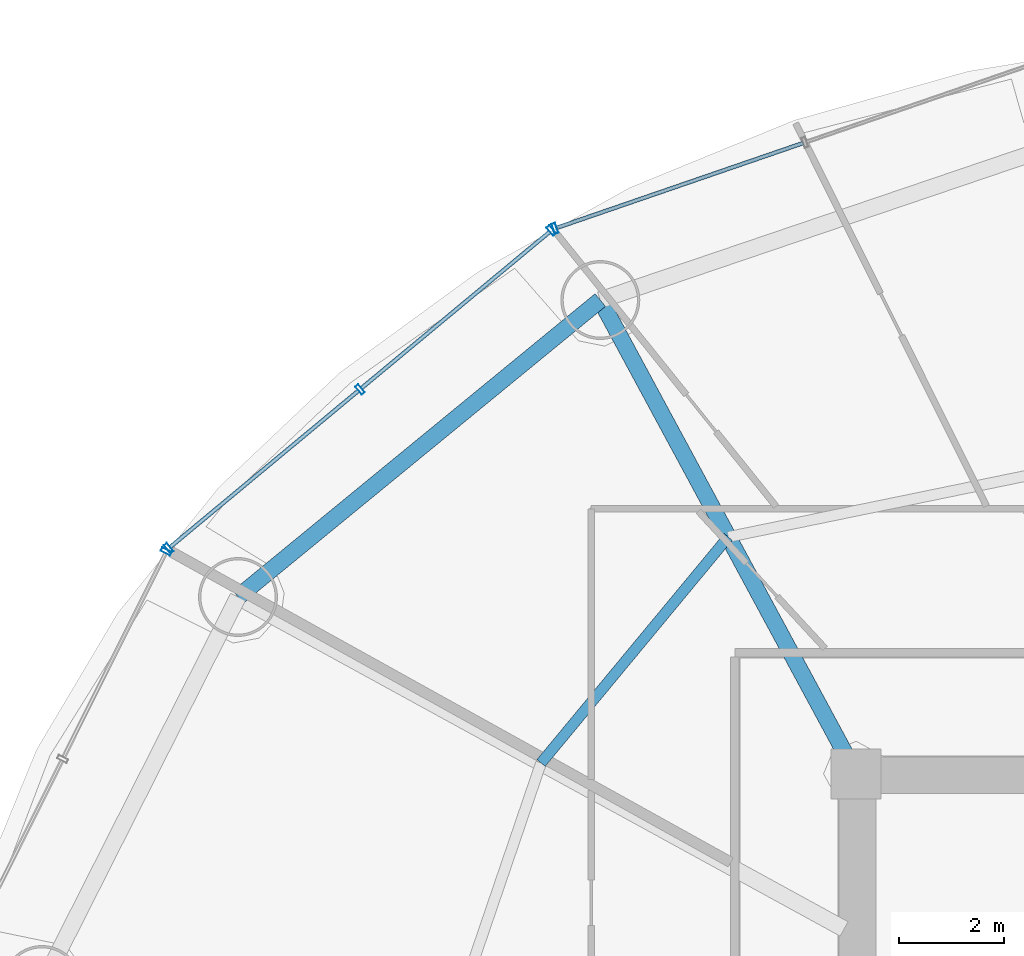
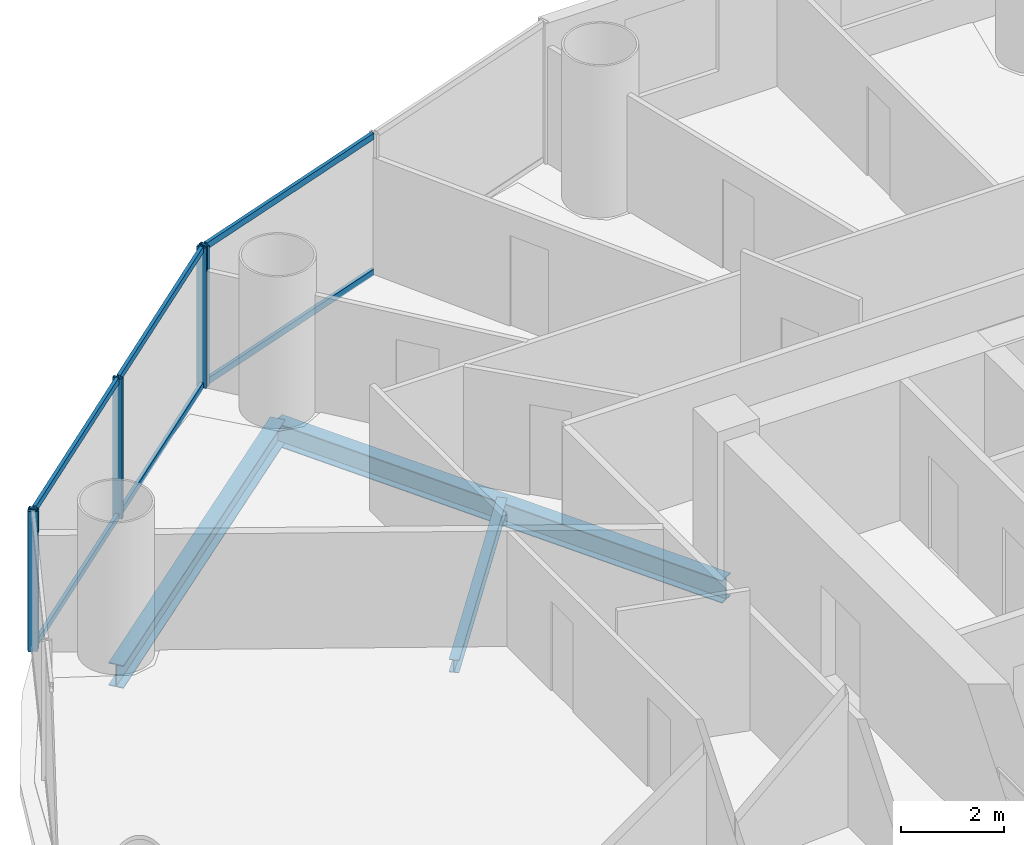
# One storey, part 16 of 29: 11 members, 3 beams, 3 elements without a shape of their own.
"""IFC4 building model written with IfcOpenShell, lengths in metres."""

from ifc_helpers import new_model, si_unit, direction, frame, origin, origin_2d, place, context, subcontext, project, spatial, hollow_rectangle, i_section, extrude, source, transform, mapped, material, material_profile, profile_set, type_object, element, aggregate, save


model = new_model("IFC4")

# Units and contexts
model_context = context("Model", 3, precision=1e-05, world=origin(), true_north=direction((-0.2419218956, 0.970295726276)))
body_context = subcontext(model_context, "Body", "Model", "MODEL_VIEW")
ifc_project = project(units=[si_unit("LENGTHUNIT", "METRE"), si_unit("AREAUNIT", "SQUARE_METRE"), si_unit("VOLUMEUNIT", "CUBIC_METRE"), si_unit("PLANEANGLEUNIT", "RADIAN"), si_unit("MASSUNIT", "GRAM", prefix="KILO")], contexts=[model_context])

# Site, building, storey
site_placement = place(None, origin())
site = spatial("IfcSite", under=ifc_project, at=site_placement, CompositionType="ELEMENT")
building_placement = place(site_placement, origin())
building = spatial("IfcBuilding", under=site, at=building_placement, Name="Cobrevalo Terracotta Tower", CompositionType="ELEMENT")
storey_placement = place(building_placement, frame((0.0, 0.0, 90.60009765625)))
storey = spatial("IfcBuildingStorey", under=building, at=storey_placement, Name="L23", CompositionType="ELEMENT", Elevation=90.60009765625)

# Beams
ifc_material_1 = material(Name="Steel S355", Category="steel")
ifc_material_profile_1 = material_profile(ifc_material_1, i_section(OverallWidth=0.31201171875, OverallDepth=0.54296875, WebThickness=0.0126953125, FlangeThickness=0.020263671875, at=origin_2d()), Name="W 530x150")
ifc_profile_set_1 = profile_set([ifc_material_profile_1], Name="Steel S355")
beam_type_1 = type_object("IfcBeamType", Name="Structural Beam W 530x150 (Steel S355)", PredefinedType="BEAM", material=ifc_profile_set_1)
beam_1_placement = place(storey_placement, frame((24.138427734375, 43.803466796875, -0.546630859375), z_axis=(0.475128224431, -0.879916570107, 0.0), x_axis=(0.879916570107, 0.475128224431, 0.0)))
element("IfcBeam", 1, at=beam_1_placement, inside=storey, type_object=beam_type_1, Name="L23 radial floor girder 06", PredefinedType="BEAM", context=body_context, shape_type="SweptSolid", body=[
    extrude(i_section(OverallWidth=0.31201171875, OverallDepth=0.54296875, WebThickness=0.0126953125, FlangeThickness=0.020263671875, at=origin_2d()), origin(), (0.0, 0.0, 1.0), 10.232177734375),
])
ifc_material_profile_2 = material_profile(ifc_material_1, i_section(OverallWidth=0.2041015625, OverallDepth=0.305908203125, WebThickness=0.008544921875, FlangeThickness=0.0146484375, at=origin_2d()), Name="W 310x67")
ifc_profile_set_2 = profile_set([ifc_material_profile_2], Name="Steel S355")
beam_type_2 = type_object("IfcBeamType", Name="Structural Joist W 310x67 (Steel S355)", PredefinedType="JOIST", material=ifc_profile_set_2)
beam_2_placement = place(storey_placement, frame((26.5693359375, 39.3017578125, -0.427978515625), z_axis=(-0.6379592588, -0.77007011636, 0.0), x_axis=(0.77007011636, -0.6379592588, 0.0)))
element("IfcBeam", 2, at=beam_2_placement, inside=storey, type_object=beam_type_2, Name="L23 circumferential secondary floor joist 06", PredefinedType="JOIST", context=body_context, shape_type="SweptSolid", body=[
    extrude(i_section(OverallWidth=0.2041015625, OverallDepth=0.305908203125, WebThickness=0.008544921875, FlangeThickness=0.0146484375, at=origin_2d()), origin(), (0.0, 0.0, 1.0), 5.575439453125),
])
ifc_material_profile_3 = material_profile(ifc_material_1, i_section(OverallWidth=0.31201171875, OverallDepth=0.54296875, WebThickness=0.0126953125, FlangeThickness=0.020263671875, at=origin_2d()), Name="W 530x150")
ifc_profile_set_3 = profile_set([ifc_material_profile_3], Name="Steel S355")
beam_type_3 = type_object("IfcBeamType", Name="Structural Spandrel W 530x150 (Steel S355)", PredefinedType="SPANDREL", material=ifc_profile_set_3)
beam_3_placement = place(storey_placement, frame((24.138427734375, 43.803466796875, -0.546630859375), z_axis=(-0.773400923541, -0.633917196064, 0.0), x_axis=(0.633917196064, -0.773400923541, 0.0)))
element("IfcBeam", 3, at=beam_3_placement, inside=storey, type_object=beam_type_3, Name="L23 perimeter ring spandrel 06", PredefinedType="SPANDREL", context=body_context, shape_type="SweptSolid", body=[
    extrude(i_section(OverallWidth=0.31201171875, OverallDepth=0.54296875, WebThickness=0.0126953125, FlangeThickness=0.020263671875, at=origin_2d()), origin(), (0.0, 0.0, 1.0), 8.900390625),
])

# Curtain wall, member
ifc_material_2 = material(Name="Anodized aluminium", Category="aluminium")
curtain_wall_type = type_object("IfcCurtainWallType", Name="Lower-tower unitised acoustic low-E curtain wall CW-U1", PredefinedType="NOTDEFINED", material=ifc_material_2)
curtain_wall_1_placement = place(storey_placement, origin())
curtain_wall_1 = element("IfcCurtainWall", 4, at=curtain_wall_1_placement, inside=storey, type_object=curtain_wall_type, Name="L23 curtain wall CW-L23-S05", PredefinedType="NOTDEFINED")
ifc_material_profile_4 = material_profile(ifc_material_2, hollow_rectangle(XDim=0.074951171875, YDim=0.199951171875, WallThickness=0.0048828125, at=origin_2d()), Name="CWM 75x200")
ifc_profile_set_4 = profile_set([ifc_material_profile_4], Name="Anodized aluminium")
member_type_1 = type_object("IfcMemberType", Name="Lower/mid tower unitised mullion 75x200", PredefinedType="MULLION", material=ifc_profile_set_4)
shared_shape_1 = source(origin(), body_context, "Body", "SweptSolid", [
    extrude(hollow_rectangle(XDim=0.074951171875, YDim=0.199951171875, WallThickness=0.0048828125, at=origin_2d()), origin(), (0.0, 0.0, 1.0), 3.324951171875),
])
member_1_placement = place(storey_placement, frame((23.2763671875, 45.16357421875, 0.0), z_axis=(0.0, 0.0, 1.0), x_axis=(-0.94559809868, -0.325337110968, 0.0)))
member_1 = element("IfcMember", 5, at=member_1_placement, type_object=member_type_1, Name="CW-L23-S05 vertical mullion 03", PredefinedType="MULLION", context=body_context, shape_type="MappedRepresentation", body=[
    mapped(shared_shape_1, transform((0.0, 0.0, 0.0), scale=1.0)),
])

# Curtain wall, members
curtain_wall_2_placement = place(storey_placement, origin())
curtain_wall_2 = element("IfcCurtainWall", 6, at=curtain_wall_2_placement, inside=storey, type_object=curtain_wall_type, Name="L23 curtain wall CW-L23-S06", PredefinedType="NOTDEFINED")
member_2_placement = place(storey_placement, frame((23.207763671875, 45.125, 0.0), z_axis=(0.0, 0.0, 1.0), x_axis=(-0.769243451658, -0.638955798222, 0.0)))
member_2 = element("IfcMember", 7, at=member_2_placement, type_object=member_type_1, Name="CW-L23-S06 vertical mullion 01", PredefinedType="MULLION", context=body_context, shape_type="MappedRepresentation", body=[
    mapped(shared_shape_1, transform((0.0, 0.0, 0.0), scale=1.0)),
])
member_3_placement = place(storey_placement, frame((19.5732421875, 42.10595703125, 0.0), z_axis=(0.0, 0.0, 1.0), x_axis=(-0.769243451658, -0.638955798222, 0.0)))
member_3 = element("IfcMember", 8, at=member_3_placement, type_object=member_type_1, Name="CW-L23-S06 vertical mullion 02", PredefinedType="MULLION", context=body_context, shape_type="MappedRepresentation", body=[
    mapped(shared_shape_1, transform((0.0, 0.0, 0.0), scale=1.0)),
])
member_4_placement = place(storey_placement, frame((15.938720703125, 39.0869140625, 0.0), z_axis=(0.0, 0.0, 1.0), x_axis=(-0.769243451658, -0.638955798222, 0.0)))
member_4 = element("IfcMember", 9, at=member_4_placement, type_object=member_type_1, Name="CW-L23-S06 vertical mullion 03", PredefinedType="MULLION", context=body_context, shape_type="MappedRepresentation", body=[
    mapped(shared_shape_1, transform((0.0, 0.0, 0.0), scale=1.0)),
])

# Curtain wall, member
curtain_wall_3_placement = place(storey_placement, origin())
curtain_wall_3 = element("IfcCurtainWall", 10, at=curtain_wall_3_placement, inside=storey, type_object=curtain_wall_type, Name="L23 curtain wall CW-L23-S07", PredefinedType="NOTDEFINED")
member_5_placement = place(storey_placement, frame((15.889892578125, 39.025634765625, 0.0), z_axis=(0.0, 0.0, 1.0), x_axis=(-0.446260290227, -0.894903208937, 0.0)))
member_5 = element("IfcMember", 11, at=member_5_placement, type_object=member_type_1, Name="CW-L23-S07 vertical mullion 01", PredefinedType="MULLION", context=body_context, shape_type="MappedRepresentation", body=[
    mapped(shared_shape_1, transform((0.0, 0.0, 0.0), scale=1.0)),
])
aggregate(curtain_wall_3, [member_5])

# Member
ifc_material_profile_5 = material_profile(ifc_material_2, hollow_rectangle(XDim=0.074951171875, YDim=0.14990234375, WallThickness=0.00439453125, at=origin_2d()), Name="CWT 75x150")
ifc_profile_set_5 = profile_set([ifc_material_profile_5], Name="Anodized aluminium")
member_type_2 = type_object("IfcMemberType", Name="Tower unitised aluminium transom 75x150", PredefinedType="USERDEFINED", material=ifc_profile_set_5)
shared_shape_2 = source(origin(), body_context, "Body", "SweptSolid", [
    extrude(hollow_rectangle(XDim=0.074951171875, YDim=0.14990234375, WallThickness=0.00439453125, at=origin_2d()), origin(), (0.0, 0.0, 1.0), 4.944580078125),
])
member_6_placement = place(storey_placement, frame((27.98974609375, 46.78515625, 0.0498046875), z_axis=(-0.945597859971, -0.32533780478, 0.0), x_axis=(0.32533780478, -0.945597859971, 0.0)))
member_6 = element("IfcMember", 12, at=member_6_placement, type_object=member_type_2, Name="CW-L23-S05 transom B02-T1", ObjectType="TRANSOM", PredefinedType="USERDEFINED", context=body_context, shape_type="MappedRepresentation", body=[
    mapped(shared_shape_2, transform((0.0, 0.0, 0.0), scale=1.0)),
])

member_7_placement = place(storey_placement, frame((27.98974609375, 46.78515625, 3.27490234375), z_axis=(-0.945597859971, -0.32533780478, 0.0), x_axis=(0.32533780478, -0.945597859971, 0.0)))
member_7 = element("IfcMember", 13, at=member_7_placement, type_object=member_type_2, Name="CW-L23-S05 transom B02-T2", ObjectType="TRANSOM", PredefinedType="USERDEFINED", context=body_context, shape_type="MappedRepresentation", body=[
    mapped(shared_shape_2, transform((0.0, 0.0, 0.0), scale=1.0)),
])

aggregate(curtain_wall_1, [member_1, member_6, member_7])

shared_shape_3 = source(origin(), body_context, "Body", "SweptSolid", [
    extrude(hollow_rectangle(XDim=0.074951171875, YDim=0.14990234375, WallThickness=0.00439453125, at=origin_2d()), origin(), (0.0, 0.0, 1.0), 4.644775390625),
])
member_8_placement = place(storey_placement, frame((23.177001953125, 45.099365234375, 0.0498046875), z_axis=(-0.76924999091, -0.638947925487, 0.0), x_axis=(0.638947925487, -0.76924999091, 0.0)))
member_8 = element("IfcMember", 14, at=member_8_placement, type_object=member_type_2, Name="CW-L23-S06 transom B01-T1", ObjectType="TRANSOM", PredefinedType="USERDEFINED", context=body_context, shape_type="MappedRepresentation", body=[
    mapped(shared_shape_3, transform((0.0, 0.0, 0.0), scale=1.0)),
])

member_9_placement = place(storey_placement, frame((23.177001953125, 45.099365234375, 3.27490234375), z_axis=(-0.76924999091, -0.638947925487, 0.0), x_axis=(0.638947925487, -0.76924999091, 0.0)))
member_9 = element("IfcMember", 15, at=member_9_placement, type_object=member_type_2, Name="CW-L23-S06 transom B01-T2", ObjectType="TRANSOM", PredefinedType="USERDEFINED", context=body_context, shape_type="MappedRepresentation", body=[
    mapped(shared_shape_3, transform((0.0, 0.0, 0.0), scale=1.0)),
])

member_10_placement = place(storey_placement, frame((19.54248046875, 42.080322265625, 0.0498046875), z_axis=(-0.76924999091, -0.638947925487, 0.0), x_axis=(0.638947925487, -0.76924999091, 0.0)))
member_10 = element("IfcMember", 16, at=member_10_placement, type_object=member_type_2, Name="CW-L23-S06 transom B02-T1", ObjectType="TRANSOM", PredefinedType="USERDEFINED", context=body_context, shape_type="MappedRepresentation", body=[
    mapped(shared_shape_3, transform((0.0, 0.0, 0.0), scale=1.0)),
])

member_11_placement = place(storey_placement, frame((19.54248046875, 42.080322265625, 3.27490234375), z_axis=(-0.76924999091, -0.638947925487, 0.0), x_axis=(0.638947925487, -0.76924999091, 0.0)))
member_11 = element("IfcMember", 17, at=member_11_placement, type_object=member_type_2, Name="CW-L23-S06 transom B02-T2", ObjectType="TRANSOM", PredefinedType="USERDEFINED", context=body_context, shape_type="MappedRepresentation", body=[
    mapped(shared_shape_3, transform((0.0, 0.0, 0.0), scale=1.0)),
])

aggregate(curtain_wall_2, [member_2, member_3, member_4, member_8, member_9, member_10, member_11])

save(model, "model.ifc")
